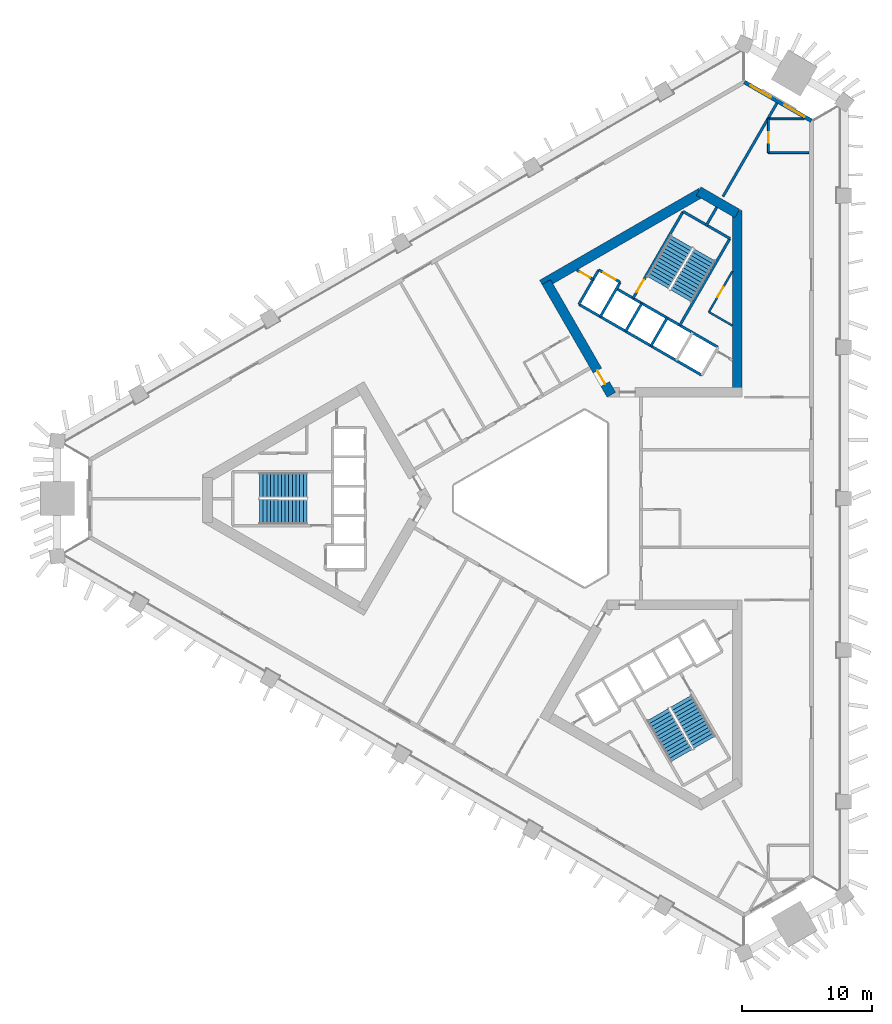
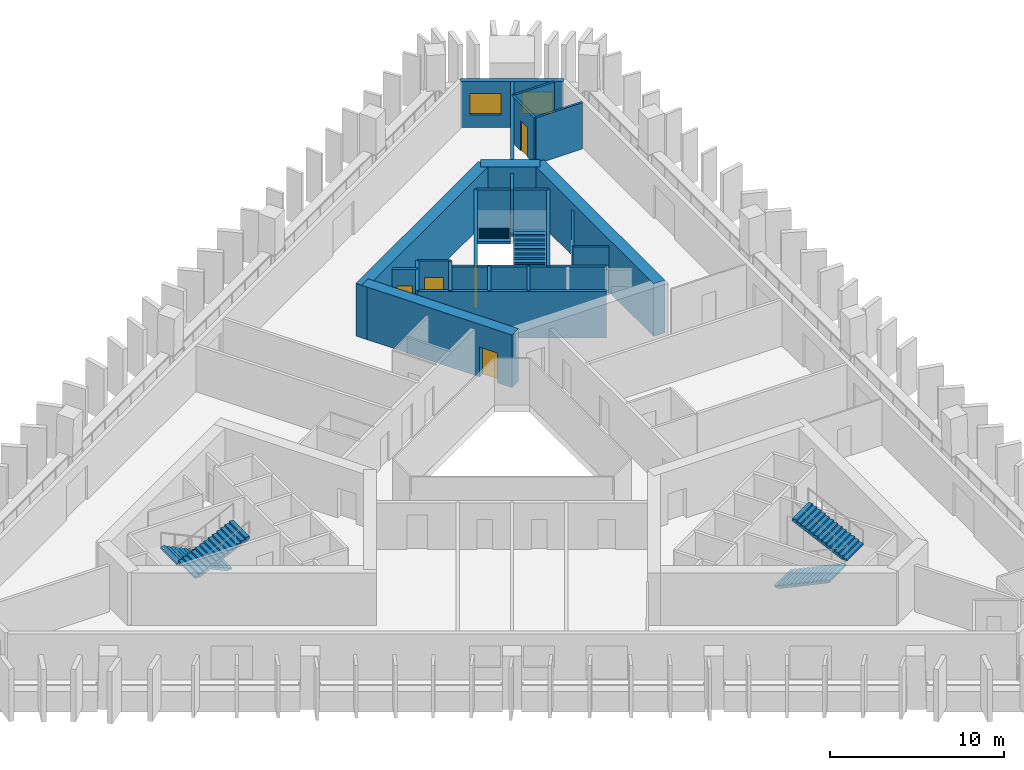
# One storey, part 6 of 9: 23 walls, 6 doors, 6 stair flights, 2 windows, 8 openings, 3 elements without a shape of their own.
"""IFC4 building model written with IfcOpenShell, lengths in metres."""

from ifc_helpers import new_model, si_unit, direction, frame, frame_2d, origin, place, context, subcontext, project, spatial, polyline, rectangle, outline, extrude, material, layer, layer_set, type_object, element, fill, aggregate, save


model = new_model("IFC4")

# Units and contexts
model_context = context("Model", 3, precision=1e-05, world=origin(), true_north=direction((0.0, 1.0)))
body_context = subcontext(model_context, "Body", "Model", "MODEL_VIEW")
ifc_project = project(units=[si_unit("LENGTHUNIT", "METRE"), si_unit("AREAUNIT", "SQUARE_METRE"), si_unit("VOLUMEUNIT", "CUBIC_METRE"), si_unit("PLANEANGLEUNIT", "RADIAN"), si_unit("MASSUNIT", "GRAM", prefix="KILO")], contexts=[model_context])

# Site, building, storey
site_placement = place(None, origin())
site = spatial("IfcSite", under=ifc_project, at=site_placement, CompositionType="ELEMENT")
building_placement = place(site_placement, origin())
building = spatial("IfcBuilding", under=site, at=building_placement, Name="Jabali Bay Hotel Tower and Convention Centre", CompositionType="ELEMENT")
storey_placement = place(building_placement, frame((0.0, 0.0, 94.300048828125)))
storey = spatial("IfcBuildingStorey", under=building, at=storey_placement, Name="L22", CompositionType="ELEMENT", Elevation=94.300048828125)

# Wall
ifc_material_1 = material(Name="Concrete C40", Category="concrete")
ifc_layer_1 = layer(ifc_material_1, 0.199951171875)
ifc_layer_set_1 = layer_set([ifc_layer_1], Name="Concrete C40")
wall_type_1 = type_object("IfcWallType", Name="Core partition wall 200", PredefinedType="PARTITIONING", material=ifc_layer_set_1)
wall_1_placement = place(storey_placement, frame((87.090087890625, 100.9404296875, 0.0), z_axis=(0.0, 0.0, 1.0), x_axis=(0.499937194881, 0.866061661301, 0.0)))
element("IfcWall", 1, at=wall_1_placement, inside=storey, type_object=wall_type_1, Name="Core wall 1.5 L22", PredefinedType="PARTITIONING", context=body_context, shape_type="SweptSolid", body=[
    extrude(rectangle(XDim=1.673095703125, YDim=0.199951171875, at=frame_2d((0.83642578125, 0.0))), origin(), (0.0, 0.0, 1.0), 3.25),
])

# Wall, opening, door
wall_2_placement = place(storey_placement, frame((78.43017578125, 96.84130859375, 0.0), z_axis=(0.0, 0.0, 1.0), x_axis=(-0.866045896294, 0.499964504253, 0.0)))
wall_2 = element("IfcWall", 2, at=wall_2_placement, inside=storey, type_object=wall_type_1, Name="Core wall 1.12 L22", PredefinedType="PARTITIONING", context=body_context, shape_type="SweptSolid", body=[
    extrude(rectangle(XDim=1.455078125, YDim=0.199951171875, at=frame_2d((0.7275390625, 0.0))), origin(), (0.0, 0.0, 1.0), 3.25),
])
opening_1_placement = place(wall_2_placement, frame((0.277587890625, 0.0, 0.0)))
opening_1 = element("IfcOpeningElement", 3, at=opening_1_placement, cuts=wall_2, Name="Opening D518", PredefinedType="OPENING", context=body_context, shape_type="SweptSolid", body=[
    extrude(rectangle(XDim=0.89990234375, YDim=2.10009765625, at=frame_2d((0.449951171875, 1.050048828125))), frame((0.0, 0.1103515625, 0.0), z_axis=(0.0, -1.0, 0.0), x_axis=(1.0, 0.0, 0.0)), (0.0, 0.0, 1.0), 0.220947265625),
])
ifc_material_2 = material(Name="Fire-rated steel door", Category="steel")
door_type_1 = type_object("IfcDoorType", Name="Vestibule fire door 900 x 2100", OperationType="NOTDEFINED", PredefinedType="NOTDEFINED", material=ifc_material_2)
door_1_placement = place(opening_1_placement, origin())
door_1 = element("IfcDoor", 4, at=door_1_placement, inside=storey, type_object=door_type_1, Name="Vestibule fire door D518", OperationType="SINGLE_SWING_LEFT", OverallHeight=2.10009765625, OverallWidth=0.89990234375, PredefinedType="NOTDEFINED", context=body_context, shape_type="SweptSolid", body=[
    extrude(rectangle(XDim=0.89990234375, YDim=2.10009765625, at=frame_2d((0.449951171875, 1.050048828125))), frame((0.0, 0.02490234375, 0.0), z_axis=(0.0, -1.0, 0.0), x_axis=(1.0, 0.0, 0.0)), (0.0, 0.0, 1.0), 0.050048828125),
])
fill(opening_1, door_1)

ifc_material_3 = material(Name="Fire-rated board partition")
ifc_layer_2 = layer(ifc_material_3, 0.14990234375)
ifc_layer_set_2 = layer_set([ifc_layer_2], Name="Fire-rated board partition")
wall_type_2 = type_object("IfcWallType", Name="Core room partition 150", PredefinedType="PARTITIONING", material=ifc_layer_set_2)
wall_3_placement = place(storey_placement, frame((87.321044921875, 94.3408203125, 0.0), z_axis=(0.0, 0.0, 1.0), x_axis=(0.499993116331, 0.866029378036, 0.0)))
wall_3 = element("IfcWall", 5, at=wall_3_placement, inside=storey, type_object=wall_type_2, Name="Core wall 1.1 L22", PredefinedType="PARTITIONING", context=body_context, shape_type="SweptSolid", body=[
    extrude(rectangle(XDim=3.61767578125, YDim=0.14990234375, at=frame_2d((1.808837890625, 0.0))), origin(), (0.0, 0.0, 1.0), 3.25),
])
opening_2_placement = place(wall_3_placement, frame((1.33154296875, 0.0, 0.0)))
opening_2 = element("IfcOpeningElement", 6, at=opening_2_placement, cuts=wall_3, Name="Opening D521", PredefinedType="OPENING", context=body_context, shape_type="SweptSolid", body=[
    extrude(rectangle(XDim=0.89990234375, YDim=2.10009765625, at=frame_2d((0.449951171875, 1.050048828125))), frame((0.0, 0.08544921875, 0.0), z_axis=(0.0, -1.0, 0.0), x_axis=(1.0, 0.0, 0.0)), (0.0, 0.0, 1.0), 0.1708984375),
])
door_type_2 = type_object("IfcDoorType", Name="Core room door 900 x 2100", OperationType="NOTDEFINED", PredefinedType="NOTDEFINED", material=ifc_material_2)
door_2_placement = place(opening_2_placement, origin())
door_2 = element("IfcDoor", 7, at=door_2_placement, inside=storey, type_object=door_type_2, Name="Core room door D521", OperationType="SINGLE_SWING_LEFT", OverallHeight=2.10009765625, OverallWidth=0.89990234375, PredefinedType="NOTDEFINED", context=body_context, shape_type="SweptSolid", body=[
    extrude(rectangle(XDim=0.89990234375, YDim=2.10009765625, at=frame_2d((0.449951171875, 1.050048828125))), frame((0.0, 0.02490234375, 0.0), z_axis=(0.0, -1.0, 0.0), x_axis=(1.0, 0.0, 0.0)), (0.0, 0.0, 1.0), 0.050048828125),
])
fill(opening_2, door_2)

# Walls
wall_4_placement = place(storey_placement, frame((89.130126953125, 93.29638671875, 0.0), z_axis=(0.0, 0.0, 1.0), x_axis=(-0.866033778982, 0.499985493453, 0.0)))
element("IfcWall", 8, at=wall_4_placement, inside=storey, type_object=wall_type_2, Name="Core wall 1.15 L22", PredefinedType="PARTITIONING", context=body_context, shape_type="SweptSolid", body=[
    extrude(rectangle(XDim=2.0888671875, YDim=0.14990234375, at=frame_2d((1.04443359375, 0.0))), origin(), (0.0, 0.0, 1.0), 3.25),
])
ifc_layer_3 = layer(ifc_material_1, 0.199951171875)
ifc_layer_set_3 = layer_set([ifc_layer_3], Name="Concrete C40")
wall_type_3 = type_object("IfcWallType", Name="Core stair wall 200", PredefinedType="SOLIDWALL", material=ifc_layer_set_3)
wall_5_placement = place(storey_placement, frame((85.0869140625, 93.3212890625, 0.0), z_axis=(0.0, 0.0, 1.0), x_axis=(0.500019787375, 0.866013979237, 0.0)))
element("IfcWall", 9, at=wall_5_placement, inside=storey, type_object=wall_type_3, Name="Core wall 1.3 L22", PredefinedType="SOLIDWALL", context=body_context, shape_type="SweptSolid", body=[
    extrude(rectangle(XDim=7.699951171875, YDim=0.199951171875, at=frame_2d((3.85009765625, 0.0))), origin(), (0.0, 0.0, 1.0), 3.25),
])
for number, where, z_axis, x_axis, name in (
    (10, (82.872802734375, 91.73583984375, 0.0), (0.0, 0.0, 1.0), (0.499961042966, 0.86604789447, 0.0), "Core wall 1.4 L22"),
    (11, (80.924072265625, 92.86083984375, 0.0), (0.0, 0.0, 1.0), (0.499961042966, 0.86604789447, 0.0), "Core wall 1.6 L22"),
):
    element("IfcWall", number, at=place(storey_placement, frame(where, z_axis=z_axis, x_axis=x_axis)), inside=storey, type_object=wall_type_3, Name=name, PredefinedType="SOLIDWALL", context=body_context, shape_type="SweptSolid", body=[
        extrude(rectangle(XDim=2.480224609375, YDim=0.199951171875, at=frame_2d((1.240234375, 0.0))), origin(), (0.0, 0.0, 1.0), 3.25),
    ])

# Wall, opening, door
wall_6_placement = place(storey_placement, frame((81.492919921875, 95.396240234375, 0.0), z_axis=(0.0, 0.0, 1.0), x_axis=(0.500006057782, 0.866021906294, 0.0)))
wall_6 = element("IfcWall", 12, at=wall_6_placement, inside=storey, type_object=wall_type_3, Name="Core wall 1.7 L22", PredefinedType="SOLIDWALL", context=body_context, shape_type="SweptSolid", body=[
    extrude(rectangle(XDim=7.7001953125, YDim=0.199951171875, at=frame_2d((3.85009765625, 0.0))), origin(), (0.0, 0.0, 1.0), 3.25),
])
opening_3_placement = place(wall_6_placement, frame((0.550048828125, 0.0, 0.0)))
opening_3 = element("IfcOpeningElement", 13, at=opening_3_placement, cuts=wall_6, Name="Opening D520", PredefinedType="OPENING", context=body_context, shape_type="SweptSolid", body=[
    extrude(rectangle(XDim=1.10009765625, YDim=2.10009765625, at=frame_2d((0.550048828125, 1.050048828125))), frame((0.0, 0.1103515625, 0.0), z_axis=(0.0, -1.0, 0.0), x_axis=(1.0, 0.0, 0.0)), (0.0, 0.0, 1.0), 0.220947265625),
])
door_type_3 = type_object("IfcDoorType", Name="Stair fire door 1100 x 2100", OperationType="NOTDEFINED", PredefinedType="NOTDEFINED", material=ifc_material_2)
door_3_placement = place(opening_3_placement, origin())
door_3 = element("IfcDoor", 14, at=door_3_placement, inside=storey, type_object=door_type_3, Name="Stair fire door D520", OperationType="SINGLE_SWING_RIGHT", OverallHeight=2.10009765625, OverallWidth=1.10009765625, PredefinedType="NOTDEFINED", context=body_context, shape_type="SweptSolid", body=[
    extrude(rectangle(XDim=1.10009765625, YDim=2.10009765625, at=frame_2d((0.550048828125, 1.050048828125))), frame((0.0, 0.02490234375, 0.0), z_axis=(0.0, -1.0, 0.0), x_axis=(1.0, 0.0, 0.0)), (0.0, 0.0, 1.0), 0.050048828125),
])
fill(opening_3, door_3)

# Walls
for number, where, z_axis, x_axis, name in (
    (15, (78.9755859375, 93.98583984375, 0.0), (0.0, 0.0, 1.0), (0.499944174705, 0.866057632134, 0.0), "Core wall 1.8 L22"),
    (16, (77.330078125, 94.93603515625, 0.0), (0.0, 0.0, 1.0), (0.500038867431, 0.8660029625, 0.0), "Core wall 1.9 L22"),
):
    element("IfcWall", number, at=place(storey_placement, frame(where, z_axis=z_axis, x_axis=x_axis)), inside=storey, type_object=wall_type_3, Name=name, PredefinedType="SOLIDWALL", context=body_context, shape_type="SweptSolid", body=[
        extrude(rectangle(XDim=3.050048828125, YDim=0.199951171875, at=frame_2d((1.52490234375, 0.0))), origin(), (0.0, 0.0, 1.0), 3.25),
    ])
wall_7_placement = place(storey_placement, frame((86.769775390625, 89.48583984375, 0.0), z_axis=(0.0, 0.0, 1.0), x_axis=(-0.86601811187, 0.500012629753, 0.0)))
element("IfcWall", 17, at=wall_7_placement, inside=storey, type_object=wall_type_3, Name="Core wall 1.10 L22", PredefinedType="SOLIDWALL", context=body_context, shape_type="SweptSolid", body=[
    extrude(rectangle(XDim=10.900146484375, YDim=0.199951171875, at=frame_2d((5.4501953125, 0.0))), origin(), (0.0, 0.0, 1.0), 3.25),
])
wall_8_placement = place(storey_placement, frame((88.009765625, 91.6337890625, 0.0), z_axis=(0.0, 0.0, 1.0), x_axis=(-0.866024315419, 0.5000018851, 0.0)))
element("IfcWall", 18, at=wall_8_placement, inside=storey, type_object=wall_type_3, Name="Core wall 1.13 L22", PredefinedType="SOLIDWALL", context=body_context, shape_type="SweptSolid", body=[
    extrude(rectangle(XDim=9.0, YDim=0.199951171875, at=frame_2d((4.5, 0.0))), origin(), (0.0, 0.0, 1.0), 3.25),
])

# Wall, opening, door
wall_9_placement = place(storey_placement, frame((80.50048828125, 96.62744140625, 0.0), z_axis=(0.0, 0.0, 1.0), x_axis=(-0.86601224135, 0.500022797313, 0.0)))
wall_9 = element("IfcWall", 19, at=wall_9_placement, inside=storey, type_object=wall_type_3, Name="Core wall 1.14 L22", PredefinedType="SOLIDWALL", context=body_context, shape_type="SweptSolid", body=[
    extrude(rectangle(XDim=1.89990234375, YDim=0.199951171875, at=frame_2d((0.949951171875, 0.0))), origin(), (0.0, 0.0, 1.0), 3.25),
])
opening_4_placement = place(wall_9_placement, frame((0.39990234375, 0.0, 0.0)))
opening_4 = element("IfcOpeningElement", 20, at=opening_4_placement, cuts=wall_9, Name="Opening LD10-L22", PredefinedType="OPENING", context=body_context, shape_type="SweptSolid", body=[
    extrude(rectangle(XDim=1.10009765625, YDim=2.10009765625, at=frame_2d((0.550048828125, 1.050048828125))), frame((0.0, 0.1103515625, 0.0), z_axis=(0.0, -1.0, 0.0), x_axis=(1.0, 0.0, 0.0)), (0.0, 0.0, 1.0), 0.220947265625),
])
ifc_material_4 = material(Name="Stainless steel landing door", Category="steel")
door_type_4 = type_object("IfcDoorType", Name="Landing door 1100 x 2100", OperationType="NOTDEFINED", PredefinedType="NOTDEFINED", material=ifc_material_4)
door_4_placement = place(opening_4_placement, origin())
door_4 = element("IfcDoor", 21, at=door_4_placement, inside=storey, type_object=door_type_4, Name="Landing doors LD10-L22", OperationType="SLIDING_TO_RIGHT", OverallHeight=2.10009765625, OverallWidth=1.10009765625, PredefinedType="NOTDEFINED", context=body_context, shape_type="SweptSolid", body=[
    extrude(rectangle(XDim=1.10009765625, YDim=2.10009765625, at=frame_2d((0.550048828125, 1.050048828125))), frame((0.0, 0.02490234375, 0.0), z_axis=(0.0, -1.0, 0.0), x_axis=(1.0, 0.0, 0.0)), (0.0, 0.0, 1.0), 0.050048828125),
])
fill(opening_4, door_4)

# Walls
wall_10_placement = place(storey_placement, frame((88.93701171875, 99.989501953125, 0.0), z_axis=(0.0, 0.0, 1.0), x_axis=(-0.866004344652, 0.500036473714, 0.0)))
element("IfcWall", 22, at=wall_10_placement, inside=storey, type_object=wall_type_3, Name="Core wall 1.16 L22", PredefinedType="SOLIDWALL", context=body_context, shape_type="SweptSolid", body=[
    extrude(rectangle(XDim=4.150146484375, YDim=0.199951171875, at=frame_2d((2.0751953125, 0.0))), origin(), (0.0, 0.0, 1.0), 3.25),
])
ifc_material_5 = material(Name="Concrete C60", Category="concrete")
ifc_layer_4 = layer(ifc_material_5, 0.75)
ifc_layer_set_4 = layer_set([ifc_layer_4], Name="Concrete C60")
wall_type_4 = type_object("IfcWallType", Name="Core wall 750", PredefinedType="SHEAR", material=ifc_layer_set_4)
wall_11_placement = place(storey_placement, frame((89.5048828125, 88.169189453125, 0.0), z_axis=(0.0, 0.0, 1.0), x_axis=(0.0, 1.0, 0.0)))
element("IfcWall", 23, at=wall_11_placement, inside=storey, type_object=wall_type_4, Name="Core wall 2.2 L22", PredefinedType="SHEAR", context=body_context, shape_type="SweptSolid", body=[
    extrude(rectangle(XDim=13.95849609375, YDim=0.75, at=frame_2d((6.979248046875, 0.0))), origin(), (0.0, 0.0, 1.0), 3.699951171875),
])
wall_12_placement = place(storey_placement, frame((89.5048828125, 101.9111328125, 0.0), z_axis=(0.0, 0.0, 1.0), x_axis=(-0.866017201164, 0.500014207086, 0.0)))
element("IfcWall", 24, at=wall_12_placement, inside=storey, type_object=wall_type_4, Name="Core wall 2.3 L22", PredefinedType="SHEAR", context=body_context, shape_type="SweptSolid", body=[
    extrude(rectangle(XDim=3.4287109375, YDim=0.75, at=frame_2d((1.71435546875, 0.0))), origin(), (0.0, 0.0, 1.0), 3.699951171875),
])
wall_13_placement = place(storey_placement, frame((86.72314453125, 103.517333984375, 0.0), z_axis=(0.0, 0.0, 1.0), x_axis=(-0.866020851292, -0.500007885066, 0.0)))
element("IfcWall", 25, at=wall_13_placement, inside=storey, type_object=wall_type_4, Name="Core wall 2.4 L22", PredefinedType="SHEAR", context=body_context, shape_type="SweptSolid", body=[
    extrude(rectangle(XDim=14.116943359375, YDim=0.75, at=frame_2d((7.05859375, 0.0))), origin(), (0.0, 0.0, 1.0), 3.699951171875),
])

# Wall, opening, door
wall_14_placement = place(storey_placement, frame((74.822265625, 96.646240234375, 0.0), z_axis=(0.0, 0.0, 1.0), x_axis=(0.499997052475, -0.866027105532, 0.0)))
wall_14 = element("IfcWall", 26, at=wall_14_placement, inside=storey, type_object=wall_type_4, Name="Core wall 2.5 L22", PredefinedType="SHEAR", context=body_context, shape_type="SweptSolid", body=[
    extrude(rectangle(XDim=10.0048828125, YDim=0.75, at=frame_2d((5.00244140625, 0.0))), origin(), (0.0, 0.0, 1.0), 3.699951171875),
])
opening_5_placement = place(wall_14_placement, frame((7.85498046875, 0.0, 0.0)))
opening_5 = element("IfcOpeningElement", 27, at=opening_5_placement, cuts=wall_14, Name="Opening D517", PredefinedType="OPENING", context=body_context, shape_type="SweptSolid", body=[
    extrude(rectangle(XDim=1.199951171875, YDim=2.10009765625, at=frame_2d((0.60009765625, 1.050048828125))), frame((0.0, 0.385498046875, 0.0), z_axis=(0.0, -1.0, 0.0), x_axis=(1.0, 0.0, 0.0)), (0.0, 0.0, 1.0), 0.77099609375),
])
door_type_5 = type_object("IfcDoorType", Name="Corridor end fire door 1200 x 2100", OperationType="NOTDEFINED", PredefinedType="NOTDEFINED", material=ifc_material_2)
door_5_placement = place(opening_5_placement, origin())
door_5 = element("IfcDoor", 28, at=door_5_placement, inside=storey, type_object=door_type_5, Name="Corridor end fire door D517", OperationType="SINGLE_SWING_LEFT", OverallHeight=2.10009765625, OverallWidth=1.199951171875, PredefinedType="NOTDEFINED", context=body_context, shape_type="SweptSolid", body=[
    extrude(rectangle(XDim=1.199951171875, YDim=2.10009765625, at=frame_2d((0.60009765625, 1.050048828125))), frame((0.0, 0.02490234375, 0.0), z_axis=(0.0, -1.0, 0.0), x_axis=(1.0, 0.0, 0.0)), (0.0, 0.0, 1.0), 0.050048828125),
])
fill(opening_5, door_5)

# Wall, openings, windows
ifc_layer_5 = layer(ifc_material_1, 0.300048828125)
ifc_layer_set_5 = layer_set([ifc_layer_5], Name="Concrete C40")
wall_type_5 = type_object("IfcWallType", Name="External wall 300", PredefinedType="SOLIDWALL", material=ifc_layer_set_5)
wall_15_placement = place(storey_placement, frame((90.053955078125, 112.0185546875, 0.0), z_axis=(0.0, 0.0, 1.0), x_axis=(0.866025542078, -0.499999760469, 0.0)))
wall_15 = element("IfcWall", 29, at=wall_15_placement, inside=storey, type_object=wall_type_5, Name="External wall north-east chamfer L22", PredefinedType="SOLIDWALL", context=body_context, shape_type="SweptSolid", body=[
    extrude(rectangle(XDim=5.9443359375, YDim=0.300048828125, at=frame_2d((2.97216796875, 0.0))), origin(), (0.0, 0.0, 1.0), 3.25),
])
opening_6_placement = place(wall_15_placement, frame((3.541015625, 0.0, 0.89990234375)))
opening_6 = element("IfcOpeningElement", 30, at=opening_6_placement, cuts=wall_15, Name="Opening W1", PredefinedType="OPENING", context=body_context, shape_type="SweptSolid", body=[
    extrude(rectangle(XDim=1.800048828125, YDim=1.5, at=frame_2d((0.89990234375, 0.75))), frame((0.0, 0.16064453125, 0.0), z_axis=(0.0, -1.0, 0.0), x_axis=(1.0, 0.0, 0.0)), (0.0, 0.0, 1.0), 0.321044921875),
])
opening_7_placement = place(wall_15_placement, frame((0.543212890625, 0.0, 0.89990234375)))
opening_7 = element("IfcOpeningElement", 31, at=opening_7_placement, cuts=wall_15, Name="Opening W1", PredefinedType="OPENING", context=body_context, shape_type="SweptSolid", body=[
    extrude(rectangle(XDim=1.800048828125, YDim=1.5, at=frame_2d((0.89990234375, 0.75))), frame((0.0, 0.16064453125, 0.0), z_axis=(0.0, -1.0, 0.0), x_axis=(1.0, 0.0, 0.0)), (0.0, 0.0, 1.0), 0.321044921875),
])
ifc_material_6 = material(Name="Glass", Category="glass")
window_type = type_object("IfcWindowType", Name="Window 1800 x 1500", PartitioningType="SINGLE_PANEL", PredefinedType="WINDOW", material=ifc_material_6)
window_1_placement = place(opening_6_placement, origin())
window_1 = element("IfcWindow", 32, at=window_1_placement, inside=storey, type_object=window_type, Name="Window 2203", OverallHeight=1.5, OverallWidth=1.800048828125, PartitioningType="SINGLE_PANEL", PredefinedType="WINDOW", context=body_context, shape_type="SweptSolid", body=[
    extrude(rectangle(XDim=1.800048828125, YDim=1.5, at=frame_2d((0.89990234375, 0.75))), frame((0.0, 0.030029296875, 0.0), z_axis=(0.0, -1.0, 0.0), x_axis=(1.0, 0.0, 0.0)), (0.0, 0.0, 1.0), 0.06005859375),
])
fill(opening_6, window_1)
window_2_placement = place(opening_7_placement, origin())
window_2 = element("IfcWindow", 33, at=window_2_placement, inside=storey, type_object=window_type, Name="Window 2204", OverallHeight=1.5, OverallWidth=1.800048828125, PartitioningType="SINGLE_PANEL", PredefinedType="WINDOW", context=body_context, shape_type="SweptSolid", body=[
    extrude(rectangle(XDim=1.800048828125, YDim=1.5, at=frame_2d((0.89990234375, 0.75))), frame((0.0, 0.030029296875, 0.0), z_axis=(0.0, -1.0, 0.0), x_axis=(1.0, 0.0, 0.0)), (0.0, 0.0, 1.0), 0.06005859375),
])
fill(opening_7, window_2)

# Wall
ifc_material_7 = material(Name="Plasterboard on steel stud", Category="steel")
ifc_layer_6 = layer(ifc_material_7, 0.14990234375)
ifc_layer_set_6 = layer_set([ifc_layer_6], Name="Plasterboard on steel stud")
wall_type_6 = type_object("IfcWallType", Name="Partition 150 wet", PredefinedType="PARTITIONING", material=ifc_layer_set_6)
wall_16_placement = place(storey_placement, frame((95.011962890625, 106.59423828125, 0.0), z_axis=(0.0, 0.0, 1.0), x_axis=(-1.0, 0.0, 0.0)))
element("IfcWall", 34, at=wall_16_placement, inside=storey, type_object=wall_type_6, Name="Partition P03 L22 012", PredefinedType="PARTITIONING", context=body_context, shape_type="SweptSolid", body=[
    extrude(rectangle(XDim=3.1103515625, YDim=0.14990234375, at=frame_2d((1.55517578125, 0.0))), origin(), (0.0, 0.0, 1.0), 3.25),
])

# Wall, opening, door
wall_17_placement = place(storey_placement, frame((91.901611328125, 106.59423828125, 0.0), z_axis=(0.0, 0.0, 1.0), x_axis=(0.0, 1.0, 0.0)))
wall_17 = element("IfcWall", 35, at=wall_17_placement, inside=storey, type_object=wall_type_6, Name="Partition P03 L22 013", PredefinedType="PARTITIONING", context=body_context, shape_type="SweptSolid", body=[
    extrude(rectangle(XDim=2.60009765625, YDim=0.14990234375, at=frame_2d((1.300048828125, 0.0))), origin(), (0.0, 0.0, 1.0), 3.25),
])
opening_8_placement = place(wall_17_placement, frame((0.75, 0.0, 0.0)))
opening_8 = element("IfcOpeningElement", 36, at=opening_8_placement, cuts=wall_17, Name="Opening 2208", PredefinedType="OPENING", context=body_context, shape_type="SweptSolid", body=[
    extrude(rectangle(XDim=0.800048828125, YDim=2.10009765625, at=frame_2d((0.39990234375, 1.050048828125))), frame((0.0, 0.08544921875, 0.0), z_axis=(0.0, -1.0, 0.0), x_axis=(1.0, 0.0, 0.0)), (0.0, 0.0, 1.0), 0.1708984375),
])
ifc_material_8 = material(Name="Timber", Category="wood")
door_type_6 = type_object("IfcDoorType", Name="En-suite door 800 x 2100", OperationType="NOTDEFINED", PredefinedType="NOTDEFINED", material=ifc_material_8)
door_6_placement = place(opening_8_placement, origin())
door_6 = element("IfcDoor", 37, at=door_6_placement, inside=storey, type_object=door_type_6, Name="Door 2208", OperationType="SINGLE_SWING_LEFT", OverallHeight=2.10009765625, OverallWidth=0.800048828125, PredefinedType="NOTDEFINED", context=body_context, shape_type="SweptSolid", body=[
    extrude(rectangle(XDim=0.800048828125, YDim=2.10009765625, at=frame_2d((0.39990234375, 1.050048828125))), frame((0.0, 0.02490234375, 0.0), z_axis=(0.0, -1.0, 0.0), x_axis=(1.0, 0.0, 0.0)), (0.0, 0.0, 1.0), 0.050048828125),
])
fill(opening_8, door_6)

# Walls
wall_18_placement = place(storey_placement, frame((91.901611328125, 109.1943359375, 0.0), z_axis=(0.0, 0.0, 1.0), x_axis=(1.0, 0.0, 0.0)))
element("IfcWall", 38, at=wall_18_placement, inside=storey, type_object=wall_type_6, Name="Partition P03 L22 014", PredefinedType="PARTITIONING", context=body_context, shape_type="SweptSolid", body=[
    extrude(rectangle(XDim=2.74609375, YDim=0.14990234375, at=frame_2d((1.373046875, 0.0))), origin(), (0.0, 0.0, 1.0), 3.25),
])
ifc_layer_7 = layer(ifc_material_7, 0.199951171875)
ifc_layer_set_7 = layer_set([ifc_layer_7], Name="Plasterboard on steel stud")
wall_type_7 = type_object("IfcWallType", Name="Partition 200 party", PredefinedType="PARTITIONING", material=ifc_layer_set_7)
wall_19_placement = place(storey_placement, frame((92.55419921875, 110.40283203125, 0.0), z_axis=(0.0, 0.0, 1.0), x_axis=(-0.499996437432, -0.866027460624, 0.0)))
element("IfcWall", 39, at=wall_19_placement, inside=storey, type_object=wall_type_7, Name="Partition P01 L22 015", PredefinedType="PARTITIONING", context=body_context, shape_type="SweptSolid", body=[
    extrude(rectangle(XDim=8.3046875, YDim=0.199951171875, at=frame_2d((4.15234375, 0.0))), origin(), (0.0, 0.0, 1.0), 3.25),
])

# Stair, stair flights
stair_type = type_object("IfcStairType", Name="Exit stair 1900", PredefinedType="HALF_TURN_STAIR", material=ifc_material_1)
stair_1_placement = place(storey_placement, origin())
stair_1 = element("IfcStair", 40, at=stair_1_placement, inside=storey, type_object=stair_type, Name="L22 Exit Stair 1", PredefinedType="HALF_TURN_STAIR")
stair_flight_type = type_object("IfcStairFlightType", Name="Stair flight concrete 150", PredefinedType="STRAIGHT", material=ifc_material_1)
stair_flight_1_placement = place(storey_placement, frame((56.419921875, 81.02490234375, 0.0), z_axis=(0.0, 0.0, 1.0), x_axis=(-1.0, 0.0, 0.0)))
stair_flight_1 = element("IfcStairFlight", 41, at=stair_flight_1_placement, type_object=stair_flight_type, Name="ST1 flight 1", NumberOfRisers=14, NumberOfTreads=13, PredefinedType="STRAIGHT", RiserHeight=0.132142857, TreadLength=0.28, context=body_context, shape_type="SweptSolid", body=[
    extrude(outline(polyline([(0.0, 0.0), (0.0, 0.132080078125), (0.280029296875, 0.132080078125), (0.280029296875, 0.264404296875), (0.56005859375, 0.264404296875), (0.56005859375, 0.396484375), (0.840087890625, 0.396484375), (0.840087890625, 0.528564453125), (1.1201171875, 0.528564453125), (1.1201171875, 0.66064453125), (1.39990234375, 0.66064453125), (1.39990234375, 0.79296875), (1.679931640625, 0.79296875), (1.679931640625, 0.925048828125), (1.9599609375, 0.925048828125), (1.9599609375, 1.05712890625), (2.239990234375, 1.05712890625), (2.239990234375, 1.189208984375), (2.52001953125, 1.189208984375), (2.52001953125, 1.321533203125), (2.800048828125, 1.321533203125), (2.800048828125, 1.45361328125), (3.080078125, 1.45361328125), (3.080078125, 1.585693359375), (3.360107421875, 1.585693359375), (3.360107421875, 1.7177734375), (3.639892578125, 1.7177734375), (3.639892578125, 1.85009765625), (3.639892578125, 1.552001953125), (0.351318359375, 0.0), (0.0, 0.0)])), frame((0.0, 0.949951171875, 0.0), z_axis=(0.0, -1.0, 0.0), x_axis=(1.0, 0.0, 0.0)), (0.0, 0.0, 1.0), 1.89990234375),
])
stair_flight_2_placement = place(storey_placement, frame((52.780029296875, 78.97509765625, 1.849853515625), z_axis=(0.0, 0.0, 1.0), x_axis=(1.0, 0.0, 0.0)))
stair_flight_2 = element("IfcStairFlight", 42, at=stair_flight_2_placement, type_object=stair_flight_type, Name="ST1 flight 2", NumberOfRisers=14, NumberOfTreads=13, PredefinedType="STRAIGHT", RiserHeight=0.132142857, TreadLength=0.28, context=body_context, shape_type="SweptSolid", body=[
    extrude(outline(polyline([(0.0, 0.0), (0.0, 0.132080078125), (0.280029296875, 0.132080078125), (0.280029296875, 0.264404296875), (0.56005859375, 0.264404296875), (0.56005859375, 0.396484375), (0.840087890625, 0.396484375), (0.840087890625, 0.528564453125), (1.1201171875, 0.528564453125), (1.1201171875, 0.66064453125), (1.39990234375, 0.66064453125), (1.39990234375, 0.79296875), (1.679931640625, 0.79296875), (1.679931640625, 0.925048828125), (1.9599609375, 0.925048828125), (1.9599609375, 1.05712890625), (2.239990234375, 1.05712890625), (2.239990234375, 1.189208984375), (2.52001953125, 1.189208984375), (2.52001953125, 1.321533203125), (2.800048828125, 1.321533203125), (2.800048828125, 1.45361328125), (3.080078125, 1.45361328125), (3.080078125, 1.585693359375), (3.360107421875, 1.585693359375), (3.360107421875, 1.7177734375), (3.639892578125, 1.7177734375), (3.639892578125, 1.85009765625), (3.639892578125, 1.552001953125), (0.351318359375, 0.0), (0.0, 0.0)])), frame((0.0, 0.949951171875, 0.0), z_axis=(0.0, -1.0, 0.0), x_axis=(1.0, 0.0, 0.0)), (0.0, 0.0, 1.0), 1.89990234375),
])
aggregate(stair_1, [stair_flight_1, stair_flight_2])

stair_2_placement = place(storey_placement, origin())
stair_2 = element("IfcStair", 43, at=stair_2_placement, inside=storey, type_object=stair_type, Name="L22 Exit Stair 2", PredefinedType="HALF_TURN_STAIR")
stair_flight_3_placement = place(storey_placement, frame((85.177734375, 95.578369140625, 0.0), z_axis=(0.0, 0.0, 1.0), x_axis=(0.5, 0.866025403784, 0.0)))
stair_flight_3 = element("IfcStairFlight", 44, at=stair_flight_3_placement, type_object=stair_flight_type, Name="ST2 flight 1", NumberOfRisers=14, NumberOfTreads=13, PredefinedType="STRAIGHT", RiserHeight=0.132142857, TreadLength=0.28, context=body_context, shape_type="SweptSolid", body=[
    extrude(outline(polyline([(0.0, 0.0), (0.0, 0.132080078125), (0.280029296875, 0.132080078125), (0.280029296875, 0.264404296875), (0.56005859375, 0.264404296875), (0.56005859375, 0.396484375), (0.840087890625, 0.396484375), (0.840087890625, 0.528564453125), (1.1201171875, 0.528564453125), (1.1201171875, 0.66064453125), (1.39990234375, 0.66064453125), (1.39990234375, 0.79296875), (1.679931640625, 0.79296875), (1.679931640625, 0.925048828125), (1.9599609375, 0.925048828125), (1.9599609375, 1.05712890625), (2.239990234375, 1.05712890625), (2.239990234375, 1.189208984375), (2.52001953125, 1.189208984375), (2.52001953125, 1.321533203125), (2.800048828125, 1.321533203125), (2.800048828125, 1.45361328125), (3.080078125, 1.45361328125), (3.080078125, 1.585693359375), (3.360107421875, 1.585693359375), (3.360107421875, 1.7177734375), (3.639892578125, 1.7177734375), (3.639892578125, 1.85009765625), (3.639892578125, 1.552001953125), (0.351318359375, 0.0), (0.0, 0.0)])), frame((0.0, 0.949951171875, 0.0), z_axis=(0.0, -1.0, 0.0), x_axis=(1.0, 0.0, 0.0)), (0.0, 0.0, 1.0), 1.89990234375),
])
stair_flight_4_placement = place(storey_placement, frame((85.222412109375, 99.755615234375, 1.849853515625), z_axis=(0.0, 0.0, 1.0), x_axis=(-0.5, -0.866025403784, 0.0)))
stair_flight_4 = element("IfcStairFlight", 45, at=stair_flight_4_placement, type_object=stair_flight_type, Name="ST2 flight 2", NumberOfRisers=14, NumberOfTreads=13, PredefinedType="STRAIGHT", RiserHeight=0.132142857, TreadLength=0.28, context=body_context, shape_type="SweptSolid", body=[
    extrude(outline(polyline([(0.0, 0.0), (0.0, 0.132080078125), (0.280029296875, 0.132080078125), (0.280029296875, 0.264404296875), (0.56005859375, 0.264404296875), (0.56005859375, 0.396484375), (0.840087890625, 0.396484375), (0.840087890625, 0.528564453125), (1.1201171875, 0.528564453125), (1.1201171875, 0.66064453125), (1.39990234375, 0.66064453125), (1.39990234375, 0.79296875), (1.679931640625, 0.79296875), (1.679931640625, 0.925048828125), (1.9599609375, 0.925048828125), (1.9599609375, 1.05712890625), (2.239990234375, 1.05712890625), (2.239990234375, 1.189208984375), (2.52001953125, 1.189208984375), (2.52001953125, 1.321533203125), (2.800048828125, 1.321533203125), (2.800048828125, 1.45361328125), (3.080078125, 1.45361328125), (3.080078125, 1.585693359375), (3.360107421875, 1.585693359375), (3.360107421875, 1.7177734375), (3.639892578125, 1.7177734375), (3.639892578125, 1.85009765625), (3.639892578125, 1.552001953125), (0.351318359375, 0.0), (0.0, 0.0)])), frame((0.0, 0.949951171875, 0.0), z_axis=(0.0, -1.0, 0.0), x_axis=(1.0, 0.0, 0.0)), (0.0, 0.0, 1.0), 1.89990234375),
])
aggregate(stair_2, [stair_flight_3, stair_flight_4])

stair_3_placement = place(storey_placement, origin())
stair_3 = element("IfcStair", 46, at=stair_3_placement, inside=storey, type_object=stair_type, Name="L22 Exit Stair 3", PredefinedType="HALF_TURN_STAIR")
stair_flight_5_placement = place(storey_placement, frame((83.40234375, 63.396728515625, 0.0), z_axis=(0.0, 0.0, 1.0), x_axis=(0.5, -0.866025403784, 0.0)))
stair_flight_5 = element("IfcStairFlight", 47, at=stair_flight_5_placement, type_object=stair_flight_type, Name="ST3 flight 1", NumberOfRisers=14, NumberOfTreads=13, PredefinedType="STRAIGHT", RiserHeight=0.132142857, TreadLength=0.28, context=body_context, shape_type="SweptSolid", body=[
    extrude(outline(polyline([(0.0, 0.0), (0.0, 0.132080078125), (0.280029296875, 0.132080078125), (0.280029296875, 0.264404296875), (0.56005859375, 0.264404296875), (0.56005859375, 0.396484375), (0.840087890625, 0.396484375), (0.840087890625, 0.528564453125), (1.1201171875, 0.528564453125), (1.1201171875, 0.66064453125), (1.39990234375, 0.66064453125), (1.39990234375, 0.79296875), (1.679931640625, 0.79296875), (1.679931640625, 0.925048828125), (1.9599609375, 0.925048828125), (1.9599609375, 1.05712890625), (2.239990234375, 1.05712890625), (2.239990234375, 1.189208984375), (2.52001953125, 1.189208984375), (2.52001953125, 1.321533203125), (2.800048828125, 1.321533203125), (2.800048828125, 1.45361328125), (3.080078125, 1.45361328125), (3.080078125, 1.585693359375), (3.360107421875, 1.585693359375), (3.360107421875, 1.7177734375), (3.639892578125, 1.7177734375), (3.639892578125, 1.85009765625), (3.639892578125, 1.552001953125), (0.351318359375, 0.0), (0.0, 0.0)])), frame((0.0, 0.949951171875, 0.0), z_axis=(0.0, -1.0, 0.0), x_axis=(1.0, 0.0, 0.0)), (0.0, 0.0, 1.0), 1.89990234375),
])
stair_flight_6_placement = place(storey_placement, frame((86.99755859375, 61.26953125, 1.849853515625), z_axis=(0.0, 0.0, 1.0), x_axis=(-0.5, 0.866025403784, 0.0)))
stair_flight_6 = element("IfcStairFlight", 48, at=stair_flight_6_placement, type_object=stair_flight_type, Name="ST3 flight 2", NumberOfRisers=14, NumberOfTreads=13, PredefinedType="STRAIGHT", RiserHeight=0.132142857, TreadLength=0.28, context=body_context, shape_type="SweptSolid", body=[
    extrude(outline(polyline([(0.0, 0.0), (0.0, 0.132080078125), (0.280029296875, 0.132080078125), (0.280029296875, 0.264404296875), (0.56005859375, 0.264404296875), (0.56005859375, 0.396484375), (0.840087890625, 0.396484375), (0.840087890625, 0.528564453125), (1.1201171875, 0.528564453125), (1.1201171875, 0.66064453125), (1.39990234375, 0.66064453125), (1.39990234375, 0.79296875), (1.679931640625, 0.79296875), (1.679931640625, 0.925048828125), (1.9599609375, 0.925048828125), (1.9599609375, 1.05712890625), (2.239990234375, 1.05712890625), (2.239990234375, 1.189208984375), (2.52001953125, 1.189208984375), (2.52001953125, 1.321533203125), (2.800048828125, 1.321533203125), (2.800048828125, 1.45361328125), (3.080078125, 1.45361328125), (3.080078125, 1.585693359375), (3.360107421875, 1.585693359375), (3.360107421875, 1.7177734375), (3.639892578125, 1.7177734375), (3.639892578125, 1.85009765625), (3.639892578125, 1.552001953125), (0.351318359375, 0.0), (0.0, 0.0)])), frame((0.0, 0.949951171875, 0.0), z_axis=(0.0, -1.0, 0.0), x_axis=(1.0, 0.0, 0.0)), (0.0, 0.0, 1.0), 1.89990234375),
])
aggregate(stair_3, [stair_flight_5, stair_flight_6])

save(model, "model.ifc")
